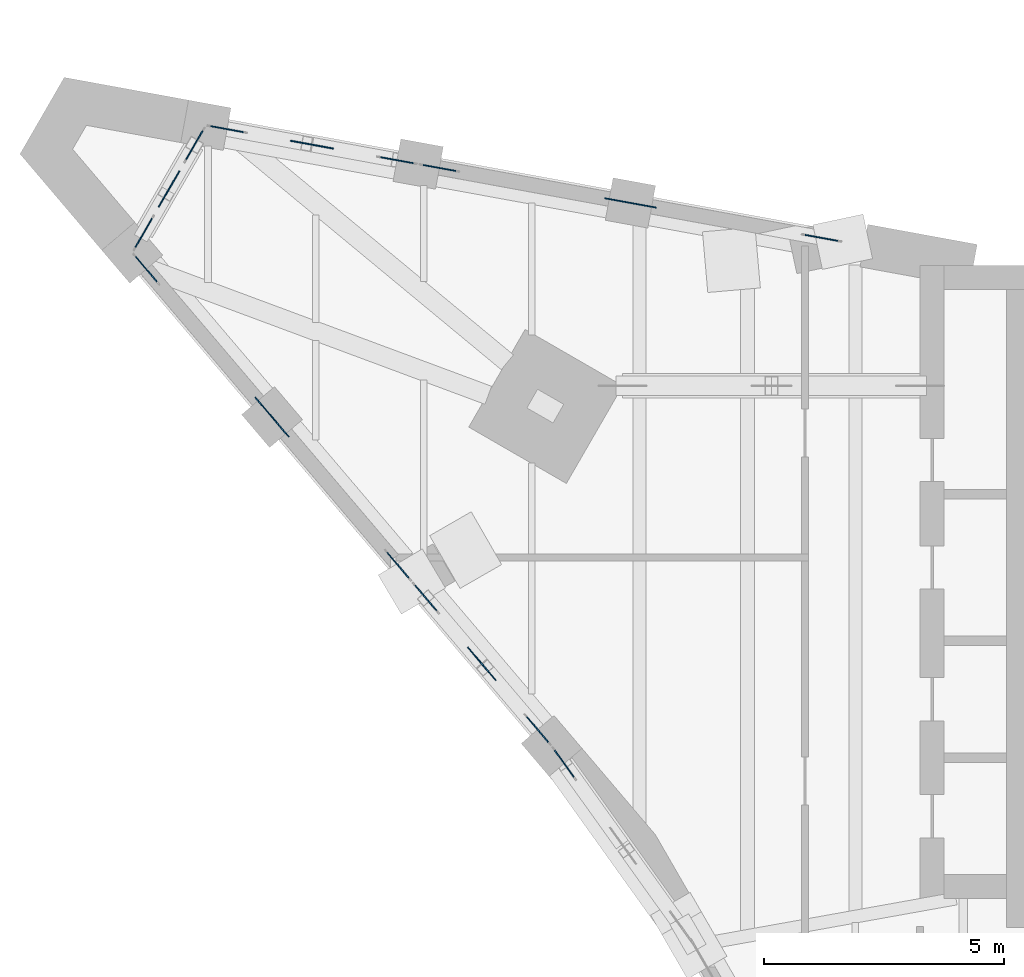
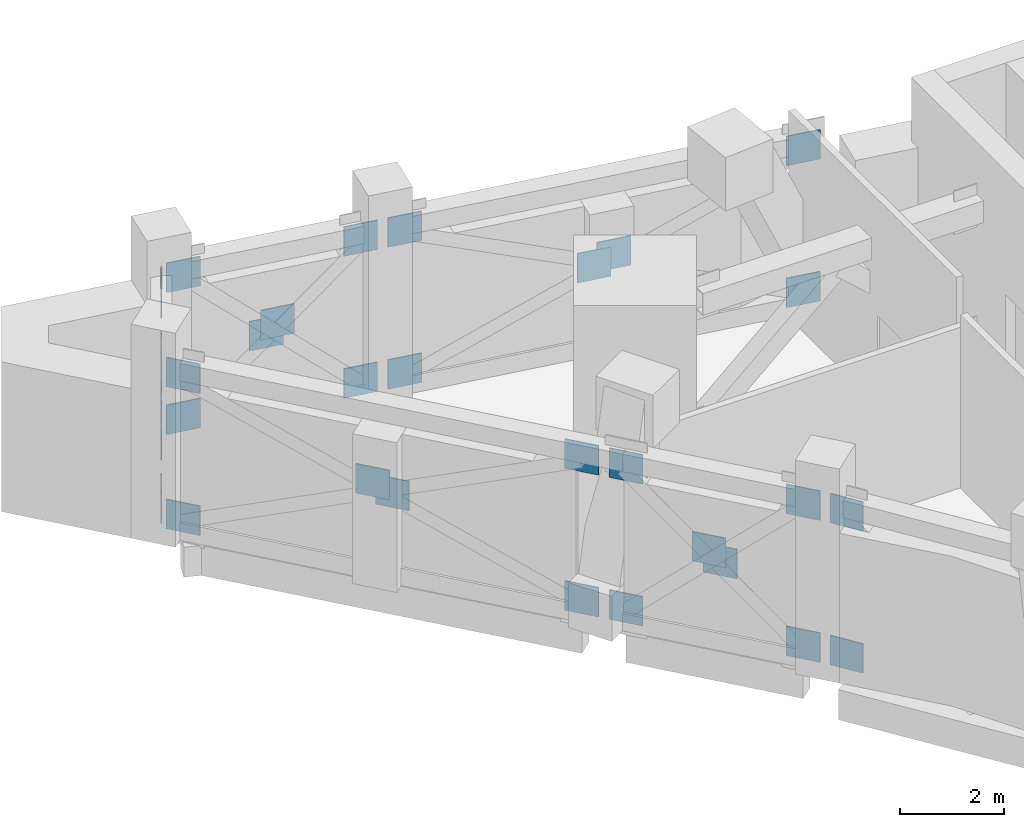
# One storey, part 19 of 23: 32 discrete accessories.
"""IFC4 building model written with IfcOpenShell, lengths in metres."""

from ifc_helpers import new_model, si_unit, direction, frame, origin, origin_2d, place, context, subcontext, project, spatial, rectangle, extrude, material, type_object, element, save


model = new_model("IFC4")

# Units and contexts
model_context = context("Model", 3, precision=1e-05, world=origin(), true_north=direction((0.0, 1.0)))
body_context = subcontext(model_context, "Body", "Model", "MODEL_VIEW")
ifc_project = project(units=[si_unit("LENGTHUNIT", "METRE"), si_unit("AREAUNIT", "SQUARE_METRE"), si_unit("VOLUMEUNIT", "CUBIC_METRE"), si_unit("PLANEANGLEUNIT", "RADIAN"), si_unit("MASSUNIT", "GRAM", prefix="KILO")], contexts=[model_context])

# Site, building, storey
site_placement = place(None, origin())
site = spatial("IfcSite", under=ifc_project, at=site_placement, CompositionType="ELEMENT")
building_placement = place(site_placement, origin())
building = spatial("IfcBuilding", under=site, at=building_placement, Name="Calabash Gate Tower", CompositionType="ELEMENT")
storey_placement = place(building_placement, frame((0.0, 0.0, 243.199951171875)))
storey = spatial("IfcBuildingStorey", under=building, at=storey_placement, Name="L58", CompositionType="ELEMENT", Elevation=243.199951171875)

# Discrete accessories
ifc_material = material(Name="Steel ASTM A572 Gr50", Category="steel")
discrete_accessory_type = type_object("IfcDiscreteAccessoryType", Name="Connection plate 25", PredefinedType="BRACKET", material=ifc_material)
for number, where, z_axis, x_axis, name in (
    (1, (-16.4560546875, 19.631591796875, 0.0625), (0.0, 0.0, 1.0), (-0.983669933215, 0.179981839331, 0.0), "Connection plate Belt diagonal L58 83 start"),
    (2, (-24.423828125, 21.089599609375, 3.3798828125), (0.0, 0.0, 1.0), (-0.983669933215, 0.179981839331, 0.0), "Connection plate Belt diagonal L58 83 end"),
    (3, (-16.4560546875, 19.631591796875, 3.3798828125), (0.0, 0.0, 1.0), (-0.983669955204, 0.179981719153, 0.0), "Connection plate Belt diagonal (split) L58 84 half 1 of 2 start"),
    (4, (-20.2421875, 20.324462890625, 1.8037109375), (0.0, 0.0, 1.0), (-0.983669955204, 0.179981719153, 0.0), "Connection plate Belt diagonal (split) L58 84 half 1 of 2 end"),
    (5, (-20.6376953125, 20.396728515625, 1.638671875), (0.0, 0.0, 1.0), (-0.983669955204, 0.179981719153, 0.0), "Connection plate Belt diagonal (split) L58 85 half 2 of 2 start"),
    (6, (-24.423828125, 21.089599609375, 0.0625), (0.0, 0.0, 1.0), (-0.983669955204, 0.179981719153, 0.0), "Connection plate Belt diagonal (split) L58 85 half 2 of 2 end"),
    (7, (-25.30908203125, 21.25146484375, 0.0625), (0.0, 0.0, 1.0), (-0.983669974051, 0.179981616143, 0.0), "Connection plate Belt diagonal L58 88 start"),
    (8, (-28.850341796875, 21.8994140625, 3.3798828125), (0.0, 0.0, 1.0), (-0.983669974051, 0.179981616143, 0.0), "Connection plate Belt diagonal L58 88 end"),
    (9, (-25.30908203125, 21.25146484375, 3.3798828125), (0.0, 0.0, 1.0), (-0.983669967769, 0.17998165048, 0.0), "Connection plate Belt diagonal (split) L58 89 half 1 of 2 start"),
    (10, (-26.96923828125, 21.55517578125, 1.82470703125), (0.0, 0.0, 1.0), (-0.983669967769, 0.17998165048, 0.0), "Connection plate Belt diagonal (split) L58 89 half 1 of 2 end"),
    (11, (-27.1904296875, 21.595703125, 1.61767578125), (0.0, 0.0, 1.0), (-0.983669967769, 0.17998165048, 0.0), "Connection plate Belt diagonal (split) L58 90 half 2 of 2 start"),
    (12, (-28.850341796875, 21.8994140625, 0.0625), (0.0, 0.0, 1.0), (-0.983669967769, 0.17998165048, 0.0), "Connection plate Belt diagonal (split) L58 90 half 2 of 2 end"),
    (13, (-29.531982421875, 21.566650390625, 0.0625), (0.0, 0.0, 1.0), (-0.500000166265, -0.866025307791, 0.0), "Connection plate Belt diagonal L58 93 start"),
    (14, (-30.588623046875, 19.736328125, 3.3798828125), (0.0, 0.0, 1.0), (-0.500000166265, -0.866025307791, 0.0), "Connection plate Belt diagonal L58 93 end"),
    (15, (-29.531982421875, 21.566650390625, 3.3798828125), (0.0, 0.0, 1.0), (-0.500000015115, -0.866025395058, 0.0), "Connection plate Belt diagonal (split) L58 94 half 1 of 2 start"),
    (16, (-30.01513671875, 20.729736328125, 1.86279296875), (0.0, 0.0, 1.0), (-0.500000015115, -0.866025395058, 0.0), "Connection plate Belt diagonal (split) L58 94 half 1 of 2 end"),
    (17, (-30.10546875, 20.5732421875, 1.57958984375), (0.0, 0.0, 1.0), (-0.500000015115, -0.866025395058, 0.0), "Connection plate Belt diagonal (split) L58 95 half 2 of 2 start"),
    (18, (-30.588623046875, 19.736328125, 0.0625), (0.0, 0.0, 1.0), (-0.500000015115, -0.866025395058, 0.0), "Connection plate Belt diagonal (split) L58 95 half 2 of 2 end"),
    (19, (-30.5361328125, 18.9794921875, 0.0625), (0.0, 0.0, 1.0), (0.647703811688, -0.761892231438, 0.0), "Connection plate Belt diagonal L58 98 start"),
    (20, (-25.289794921875, 12.808349609375, 3.3798828125), (0.0, 0.0, 1.0), (0.647703811688, -0.761892231438, 0.0), "Connection plate Belt diagonal L58 98 end"),
    (21, (-30.5361328125, 18.9794921875, 3.3798828125), (0.0, 0.0, 1.0), (0.647703771795, -0.761892265351, 0.0), "Connection plate Belt diagonal (split) L58 99 half 1 of 2 start"),
    (22, (-28.043212890625, 16.047119140625, 1.8037109375), (0.0, 0.0, 1.0), (0.647703771795, -0.761892265351, 0.0), "Connection plate Belt diagonal (split) L58 99 half 1 of 2 end"),
    (23, (-27.78271484375, 15.74072265625, 1.638671875), (0.0, 0.0, 1.0), (0.647703771795, -0.761892265351, 0.0), "Connection plate Belt diagonal (split) L58 100 half 2 of 2 start"),
    (24, (-25.289794921875, 12.808349609375, 0.0625), (0.0, 0.0, 1.0), (0.647703771795, -0.761892265351, 0.0), "Connection plate Belt diagonal (split) L58 100 half 2 of 2 end"),
    (25, (-24.706787109375, 12.12255859375, 0.0625), (0.0, 0.0, 1.0), (0.647703838283, -0.761892208828, 0.0), "Connection plate Belt diagonal L58 103 start"),
    (26, (-22.375, 9.379638671875, 3.3798828125), (0.0, 0.0, 1.0), (0.647703838283, -0.761892208828, 0.0), "Connection plate Belt diagonal L58 103 end"),
    (27, (-24.706787109375, 12.12255859375, 3.3798828125), (0.0, 0.0, 1.0), (0.647703971258, -0.761892095783, 0.0), "Connection plate Belt diagonal (split) L58 104 half 1 of 2 start"),
    (28, (-23.61376953125, 10.8369140625, 1.82470703125), (0.0, 0.0, 1.0), (0.647703971258, -0.761892095783, 0.0), "Connection plate Belt diagonal (split) L58 104 half 1 of 2 end"),
    (29, (-23.468017578125, 10.66552734375, 1.61767578125), (0.0, 0.0, 1.0), (0.647703971258, -0.761892095783, 0.0), "Connection plate Belt diagonal (split) L58 105 half 2 of 2 start"),
    (30, (-22.375, 9.379638671875, 0.0625), (0.0, 0.0, 1.0), (0.647703971258, -0.761892095783, 0.0), "Connection plate Belt diagonal (split) L58 105 half 2 of 2 end"),
    (31, (-21.82080078125, 8.669677734375, 0.0625), (0.0, 0.0, 1.0), (0.581967735271, -0.813211875899, 0.0), "Connection plate Belt diagonal L58 108 start"),
    (32, (-21.82080078125, 8.669677734375, 3.3798828125), (0.0, 0.0, 1.0), (0.581967706884, -0.813211896214, 0.0), "Connection plate Belt diagonal (split) L58 109 half 1 of 2 start"),
):
    element("IfcDiscreteAccessory", number, at=place(storey_placement, frame(where, z_axis=z_axis, x_axis=x_axis)), inside=storey, type_object=discrete_accessory_type, Name=name, PredefinedType="BRACKET", context=body_context, shape_type="SweptSolid", body=[
        extrude(rectangle(XDim=0.687744140625, YDim=0.02490234375, at=origin_2d()), origin(), (0.0, 0.0, 1.0), 0.687744140625),
    ])

save(model, "model.ifc")
